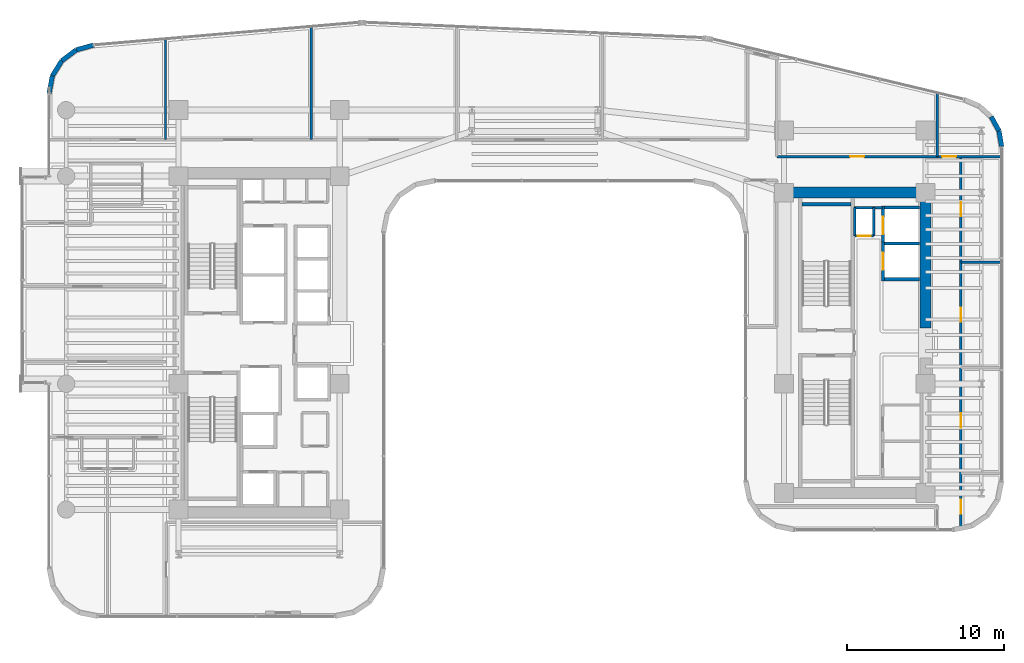
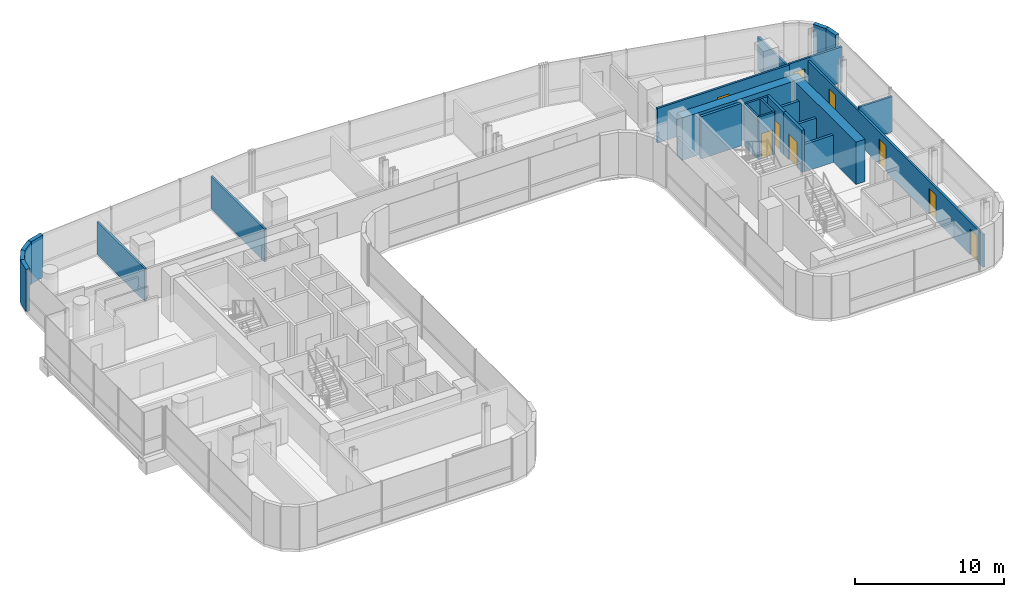
# One storey, part 29 of 35: 25 walls, 9 doors, 9 openings.
"""IFC4 building model written with IfcOpenShell, lengths in metres."""

from ifc_helpers import new_model, si_unit, direction, frame, frame_2d, origin, place, context, subcontext, project, spatial, rectangle, extrude, material, layer, layer_set, type_object, element, fill, save


model = new_model("IFC4")

# Units and contexts
model_context = context("Model", 3, precision=1e-05, world=origin(), true_north=direction((0.0, 1.0)))
body_context = subcontext(model_context, "Body", "Model", "MODEL_VIEW")
ifc_project = project(units=[si_unit("LENGTHUNIT", "METRE"), si_unit("AREAUNIT", "SQUARE_METRE"), si_unit("VOLUMEUNIT", "CUBIC_METRE"), si_unit("PLANEANGLEUNIT", "RADIAN"), si_unit("MASSUNIT", "GRAM", prefix="KILO")], contexts=[model_context])

# Site, building, storey
site_placement = place(None, origin())
site = spatial("IfcSite", under=ifc_project, at=site_placement, CompositionType="ELEMENT")
building_placement = place(site_placement, origin())
building = spatial("IfcBuilding", under=site, at=building_placement, Name="Valdorenza Pilgrim Sanctuary Tower", CompositionType="ELEMENT")
storey_placement = place(building_placement, frame((0.0, 0.0, 139.0)))
storey = spatial("IfcBuildingStorey", under=building, at=storey_placement, Name="L35", CompositionType="ELEMENT", Elevation=139.0)

# Wall, opening, door
ifc_material_1 = material(Name="Acoustic twin-stud gypsum partition", Category="gypsum")
ifc_layer_1 = layer(ifc_material_1, 0.159912109375, Name="Acoustic twin-stud gypsum partition")
ifc_layer_set_1 = layer_set([ifc_layer_1], Name="Acoustic twin-stud gypsum partition")
wall_type_1 = type_object("IfcWallType", Name="WAL-COR-160", PredefinedType="PARTITIONING", material=ifc_layer_set_1)
wall_1_placement = place(storey_placement, frame((20.35009765625, 6.800048828125, 0.0), z_axis=(0.0, 0.0, 1.0), x_axis=(1.0, 0.0, 0.0)))
wall_1 = element("IfcWall", 1, at=wall_1_placement, inside=storey, type_object=wall_type_1, Name="L35 Core B Riser South Wall", PredefinedType="PARTITIONING", context=body_context, shape_type="SweptSolid", body=[
    extrude(rectangle(XDim=1.199951171875, YDim=0.159912109375, at=frame_2d((0.60009765625, 0.0))), origin(), (0.0, 0.0, 1.0), 3.4599609375),
])
opening_1_placement = place(wall_1_placement, frame((0.175048828125, 0.0, 0.0)))
opening_1 = element("IfcOpeningElement", 2, at=opening_1_placement, cuts=wall_1, Name="Opening DR-RS1", PredefinedType="OPENING", context=body_context, shape_type="SweptSolid", body=[
    extrude(rectangle(XDim=0.85009765625, YDim=2.050048828125, at=frame_2d((0.425048828125, 1.02490234375))), frame((0.0, 0.0947265625, 0.0), z_axis=(0.0, -1.0, 0.0), x_axis=(1.0, 0.0, 0.0)), (0.0, 0.0, 1.0), 0.189697265625),
])
ifc_material_2 = material(Name="Painted galvanized steel", Category="steel")
door_type_1 = type_object("IfcDoorType", Name="DR-RSR-850", OperationType="NOTDEFINED", PredefinedType="DOOR", material=ifc_material_2)
door_1_placement = place(opening_1_placement, origin())
door_1 = element("IfcDoor", 3, at=door_1_placement, inside=storey, type_object=door_type_1, Name="L35 Core B Electrical Riser Door", OperationType="SINGLE_SWING_LEFT", OverallHeight=2.050048828125, OverallWidth=0.85009765625, PredefinedType="DOOR", context=body_context, shape_type="SweptSolid", body=[
    extrude(rectangle(XDim=0.85009765625, YDim=2.050048828125, at=frame_2d((0.425048828125, 1.02490234375))), frame((0.0, 0.02490234375, 0.0), z_axis=(0.0, -1.0, 0.0), x_axis=(1.0, 0.0, 0.0)), (0.0, 0.0, 1.0), 0.050048828125),
])
fill(opening_1, door_1)

# Walls
for number, where, z_axis, x_axis, name in (
    (4, (21.550048828125, 6.800048828125, 0.0), (0.0, 0.0, 1.0), (0.0, 1.0, 0.0), "L35 Core B Riser East Wall"),
    (5, (20.35009765625, 6.800048828125, 0.0), (0.0, 0.0, 1.0), (0.0, 1.0, 0.0), "L35 Core B Riser West Wall"),
):
    element("IfcWall", number, at=place(storey_placement, frame(where, z_axis=z_axis, x_axis=x_axis)), inside=storey, type_object=wall_type_1, Name=name, PredefinedType="PARTITIONING", context=body_context, shape_type="SweptSolid", body=[
        extrude(rectangle(XDim=1.800048828125, YDim=0.159912109375, at=frame_2d((0.89990234375, 0.0))), origin(), (0.0, 0.0, 1.0), 3.4599609375),
    ])
wall_2_placement = place(storey_placement, frame((20.300048828125, 8.60009765625, 0.0), z_axis=(0.0, 0.0, 1.0), x_axis=(1.0, 0.0, 0.0)))
element("IfcWall", 6, at=wall_2_placement, inside=storey, type_object=wall_type_1, Name="L35 Core B Lift Hall North End Wall", PredefinedType="PARTITIONING", context=body_context, shape_type="SweptSolid", body=[
    extrude(rectangle(XDim=1.820068359375, YDim=0.159912109375, at=frame_2d((0.91015625, 0.0))), origin(), (0.0, 0.0, 1.0), 3.4599609375),
])

# Wall, opening, door
wall_3_placement = place(storey_placement, frame((15.39990234375, 11.85009765625, 0.0), z_axis=(0.0, 0.0, 1.0), x_axis=(1.0, 0.0, 0.0)))
wall_3 = element("IfcWall", 7, at=wall_3_placement, inside=storey, type_object=wall_type_1, Name="L35 Wing B North Corridor Wall", PredefinedType="PARTITIONING", context=body_context, shape_type="SweptSolid", body=[
    extrude(rectangle(XDim=10.2001953125, YDim=0.159912109375, at=frame_2d((5.10009765625, 0.0))), origin(), (0.0, 0.0, 1.0), 2.833984375),
])
opening_2_placement = place(wall_3_placement, frame((4.64990234375, 0.0, 0.0)))
opening_2 = element("IfcOpeningElement", 8, at=opening_2_placement, cuts=wall_3, Name="Opening DR-RM1", PredefinedType="OPENING", context=body_context, shape_type="SweptSolid", body=[
    extrude(rectangle(XDim=0.89990234375, YDim=2.10009765625, at=frame_2d((0.449951171875, 1.050048828125))), frame((0.0, 0.0947265625, 0.0), z_axis=(0.0, -1.0, 0.0), x_axis=(1.0, 0.0, 0.0)), (0.0, 0.0, 1.0), 0.189697265625),
])
ifc_material_3 = material(Name="Solid-core European oak timber", Category="wood")
door_type_2 = type_object("IfcDoorType", Name="DR-ROOM-900", OperationType="NOTDEFINED", PredefinedType="DOOR", material=ifc_material_3)
door_2_placement = place(opening_2_placement, frame((0.89990234375, 0.0, 0.0), z_axis=(0.0, 0.0, 1.0), x_axis=(-1.0, 0.0, 0.0)))
door_2 = element("IfcDoor", 9, at=door_2_placement, inside=storey, type_object=door_type_2, Name="L35 Curator Research Office L35-BN1 Door", OperationType="SINGLE_SWING_LEFT", OverallHeight=2.10009765625, OverallWidth=0.89990234375, PredefinedType="DOOR", context=body_context, shape_type="SweptSolid", body=[
    extrude(rectangle(XDim=0.89990234375, YDim=2.10009765625, at=frame_2d((0.449951171875, 1.050048828125))), frame((0.0, 0.02490234375, 0.0), z_axis=(0.0, -1.0, 0.0), x_axis=(1.0, 0.0, 0.0)), (0.0, 0.0, 1.0), 0.050048828125),
])
fill(opening_2, door_2)

# Wall
wall_4_placement = place(storey_placement, frame((25.60009765625, 11.85009765625, 0.0), z_axis=(0.0, 0.0, 1.0), x_axis=(0.0, 1.0, 0.0)))
element("IfcWall", 10, at=wall_4_placement, inside=storey, type_object=wall_type_1, Name="L35 Wing B North East Wall", PredefinedType="PARTITIONING", context=body_context, shape_type="SweptSolid", body=[
    extrude(rectangle(XDim=4.042236328125, YDim=0.159912109375, at=frame_2d((2.02099609375, 0.0))), origin(), (0.0, 0.0, 1.0), 2.666015625),
])

# Wall, openings, doors
wall_5_placement = place(storey_placement, frame((27.10009765625, -11.660888671875, 0.0), z_axis=(0.0, 0.0, 1.0), x_axis=(0.0, 1.0, 0.0)))
wall_5 = element("IfcWall", 11, at=wall_5_placement, inside=storey, type_object=wall_type_1, Name="L35 Wing B East Corridor Wall", PredefinedType="PARTITIONING", context=body_context, shape_type="SweptSolid", body=[
    extrude(rectangle(XDim=23.510986328125, YDim=0.159912109375, at=frame_2d((11.75537109375, 0.0))), origin(), (0.0, 0.0, 1.0), 2.666015625),
])
opening_3_placement = place(wall_5_placement, frame((0.800048828125, 0.0, 0.0)))
opening_3 = element("IfcOpeningElement", 12, at=opening_3_placement, cuts=wall_5, Name="Opening DR-RM1", PredefinedType="OPENING", context=body_context, shape_type="SweptSolid", body=[
    extrude(rectangle(XDim=0.89990234375, YDim=2.10009765625, at=frame_2d((0.449951171875, 1.050048828125))), frame((0.0, 0.0947265625, 0.0), z_axis=(0.0, -1.0, 0.0), x_axis=(1.0, 0.0, 0.0)), (0.0, 0.0, 1.0), 0.189697265625),
])
opening_4_placement = place(wall_5_placement, frame((6.280029296875, 0.0, 0.0)))
opening_4 = element("IfcOpeningElement", 13, at=opening_4_placement, cuts=wall_5, Name="Opening DR-RM1", PredefinedType="OPENING", context=body_context, shape_type="SweptSolid", body=[
    extrude(rectangle(XDim=0.89990234375, YDim=2.10009765625, at=frame_2d((0.449951171875, 1.050048828125))), frame((0.0, 0.0947265625, 0.0), z_axis=(0.0, -1.0, 0.0), x_axis=(1.0, 0.0, 0.0)), (0.0, 0.0, 1.0), 0.189697265625),
])
opening_5_placement = place(wall_5_placement, frame((12.991943359375, 0.0, 0.0)))
opening_5 = element("IfcOpeningElement", 14, at=opening_5_placement, cuts=wall_5, Name="Opening DR-RM1", PredefinedType="OPENING", context=body_context, shape_type="SweptSolid", body=[
    extrude(rectangle(XDim=0.89990234375, YDim=2.10009765625, at=frame_2d((0.449951171875, 1.050048828125))), frame((0.0, 0.0947265625, 0.0), z_axis=(0.0, -1.0, 0.0), x_axis=(1.0, 0.0, 0.0)), (0.0, 0.0, 1.0), 0.189697265625),
])
opening_6_placement = place(wall_5_placement, frame((19.705078125, 0.0, 0.0)))
opening_6 = element("IfcOpeningElement", 15, at=opening_6_placement, cuts=wall_5, Name="Opening DR-RM1", PredefinedType="OPENING", context=body_context, shape_type="SweptSolid", body=[
    extrude(rectangle(XDim=0.89990234375, YDim=2.10009765625, at=frame_2d((0.449951171875, 1.050048828125))), frame((0.0, 0.0947265625, 0.0), z_axis=(0.0, -1.0, 0.0), x_axis=(1.0, 0.0, 0.0)), (0.0, 0.0, 1.0), 0.189697265625),
])
door_3_placement = place(opening_3_placement, origin())
door_3 = element("IfcDoor", 16, at=door_3_placement, inside=storey, type_object=door_type_2, Name="L35 East Sanctuary Scholar Office L35-EG1 Door", OperationType="SINGLE_SWING_RIGHT", OverallHeight=2.10009765625, OverallWidth=0.89990234375, PredefinedType="DOOR", context=body_context, shape_type="SweptSolid", body=[
    extrude(rectangle(XDim=0.89990234375, YDim=2.10009765625, at=frame_2d((0.449951171875, 1.050048828125))), frame((0.0, 0.02490234375, 0.0), z_axis=(0.0, -1.0, 0.0), x_axis=(1.0, 0.0, 0.0)), (0.0, 0.0, 1.0), 0.050048828125),
])
fill(opening_3, door_3)
door_4_placement = place(opening_4_placement, frame((0.89990234375, 0.0, 0.0), z_axis=(0.0, 0.0, 1.0), x_axis=(-1.0, 0.0, 0.0)))
door_4 = element("IfcDoor", 17, at=door_4_placement, inside=storey, type_object=door_type_2, Name="L35 East Sanctuary Scholar Office L35-EG2 Door", OperationType="SINGLE_SWING_LEFT", OverallHeight=2.10009765625, OverallWidth=0.89990234375, PredefinedType="DOOR", context=body_context, shape_type="SweptSolid", body=[
    extrude(rectangle(XDim=0.89990234375, YDim=2.10009765625, at=frame_2d((0.449951171875, 1.050048828125))), frame((0.0, 0.02490234375, 0.0), z_axis=(0.0, -1.0, 0.0), x_axis=(1.0, 0.0, 0.0)), (0.0, 0.0, 1.0), 0.050048828125),
])
fill(opening_4, door_4)
door_5_placement = place(opening_5_placement, origin())
door_5 = element("IfcDoor", 18, at=door_5_placement, inside=storey, type_object=door_type_2, Name="L35 East Sanctuary Scholar Office L35-EG3 Door", OperationType="SINGLE_SWING_RIGHT", OverallHeight=2.10009765625, OverallWidth=0.89990234375, PredefinedType="DOOR", context=body_context, shape_type="SweptSolid", body=[
    extrude(rectangle(XDim=0.89990234375, YDim=2.10009765625, at=frame_2d((0.449951171875, 1.050048828125))), frame((0.0, 0.02490234375, 0.0), z_axis=(0.0, -1.0, 0.0), x_axis=(1.0, 0.0, 0.0)), (0.0, 0.0, 1.0), 0.050048828125),
])
fill(opening_5, door_5)
door_6_placement = place(opening_6_placement, frame((0.89990234375, 0.0, 0.0), z_axis=(0.0, 0.0, 1.0), x_axis=(-1.0, 0.0, 0.0)))
door_6 = element("IfcDoor", 19, at=door_6_placement, inside=storey, type_object=door_type_2, Name="L35 East Sanctuary Scholar Office L35-EG4 Door", OperationType="SINGLE_SWING_LEFT", OverallHeight=2.10009765625, OverallWidth=0.89990234375, PredefinedType="DOOR", context=body_context, shape_type="SweptSolid", body=[
    extrude(rectangle(XDim=0.89990234375, YDim=2.10009765625, at=frame_2d((0.449951171875, 1.050048828125))), frame((0.0, 0.02490234375, 0.0), z_axis=(0.0, -1.0, 0.0), x_axis=(1.0, 0.0, 0.0)), (0.0, 0.0, 1.0), 0.050048828125),
])
fill(opening_6, door_6)

# Wall, opening, door
wall_6_placement = place(storey_placement, frame((25.60009765625, 11.85009765625, 0.0), z_axis=(0.0, 0.0, 1.0), x_axis=(1.0, 0.0, 0.0)))
wall_6 = element("IfcWall", 20, at=wall_6_placement, inside=storey, type_object=wall_type_1, Name="L35 East Wing NE Corner South Wall", PredefinedType="PARTITIONING", context=body_context, shape_type="SweptSolid", body=[
    extrude(rectangle(XDim=4.08984375, YDim=0.159912109375, at=frame_2d((2.044921875, 0.0))), origin(), (0.0, 0.0, 1.0), 2.89599609375),
])
opening_7_placement = place(wall_6_placement, frame((0.300048828125, 0.0, 0.0)))
opening_7 = element("IfcOpeningElement", 21, at=opening_7_placement, cuts=wall_6, Name="Opening DR-RM1", PredefinedType="OPENING", context=body_context, shape_type="SweptSolid", body=[
    extrude(rectangle(XDim=0.89990234375, YDim=2.10009765625, at=frame_2d((0.449951171875, 1.050048828125))), frame((0.0, 0.0947265625, 0.0), z_axis=(0.0, -1.0, 0.0), x_axis=(1.0, 0.0, 0.0)), (0.0, 0.0, 1.0), 0.189697265625),
])
door_7_placement = place(opening_7_placement, origin())
door_7 = element("IfcDoor", 22, at=door_7_placement, inside=storey, type_object=door_type_2, Name="L35 East North Alcove Office L35 Door", OperationType="SINGLE_SWING_LEFT", OverallHeight=2.10009765625, OverallWidth=0.89990234375, PredefinedType="DOOR", context=body_context, shape_type="SweptSolid", body=[
    extrude(rectangle(XDim=0.89990234375, YDim=2.10009765625, at=frame_2d((0.449951171875, 1.050048828125))), frame((0.0, 0.02490234375, 0.0), z_axis=(0.0, -1.0, 0.0), x_axis=(1.0, 0.0, 0.0)), (0.0, 0.0, 1.0), 0.050048828125),
])
fill(opening_7, door_7)

# Walls
ifc_material_4 = material(Name="Concrete C60/75", Category="concrete")
ifc_layer_2 = layer(ifc_material_4, 0.699951171875, Name="Concrete C60/75")
ifc_layer_set_2 = layer_set([ifc_layer_2], Name="Concrete C60/75")
wall_type_2 = type_object("IfcWallType", Name="WAL-COR-700", PredefinedType="SHEAR", material=ifc_layer_set_2)
wall_7_placement = place(storey_placement, frame((24.85009765625, 0.949951171875, 0.0), z_axis=(0.0, 0.0, 1.0), x_axis=(0.0, 1.0, 0.0)))
element("IfcWall", 23, at=wall_7_placement, inside=storey, type_object=wall_type_2, Name="L35 Split Core B Shear Wall EN", PredefinedType="SHEAR", context=body_context, shape_type="SweptSolid", body=[
    extrude(rectangle(XDim=8.949951171875, YDim=0.699951171875, at=frame_2d((4.47509765625, 0.0))), origin(), (0.0, 0.0, 1.0), 3.4599609375),
])
wall_8_placement = place(storey_placement, frame((15.85009765625, 9.550048828125, 0.0), z_axis=(0.0, 0.0, 1.0), x_axis=(1.0, 0.0, 0.0)))
element("IfcWall", 24, at=wall_8_placement, inside=storey, type_object=wall_type_2, Name="L35 Split Core B Shear Wall N", PredefinedType="SHEAR", context=body_context, shape_type="SweptSolid", body=[
    extrude(rectangle(XDim=9.0, YDim=0.699951171875, at=frame_2d((4.5, 0.0))), origin(), (0.0, 0.0, 1.0), 3.4599609375),
])
ifc_material_5 = material(Name="Honed travertine limestone", Category="masonry")
ifc_layer_3 = layer(ifc_material_5, 0.300048828125, Name="Honed travertine limestone")
ifc_layer_set_3 = layer_set([ifc_layer_3], Name="Honed travertine limestone")
wall_type_3 = type_object("IfcWallType", Name="WAL-EXT-300", PredefinedType="SOLIDWALL", material=ifc_layer_set_3)
wall_9_placement = place(storey_placement, frame((-30.889892578125, 15.850341796875, 0.0), z_axis=(0.0, 0.0, 1.0), x_axis=(0.184557499391, 0.982821718023, 0.0)))
element("IfcWall", 25, at=wall_9_placement, inside=storey, type_object=wall_type_3, Name="L35 Rounded Wind-Corner Stone Pier 2", PredefinedType="SOLIDWALL", context=body_context, shape_type="SweptSolid", body=[
    extrude(rectangle(XDim=1.15087890625, YDim=0.300048828125, at=frame_2d((0.575439453125, 0.0))), origin(), (0.0, 0.0, 1.0), 3.4599609375),
])
wall_10_placement = place(storey_placement, frame((-30.677490234375, 16.9814453125, 0.0), z_axis=(0.0, 0.0, 1.0), x_axis=(0.52880576008, 0.848742875143, 0.0)))
element("IfcWall", 26, at=wall_10_placement, inside=storey, type_object=wall_type_3, Name="L35 Rounded Wind-Corner Stone Pier 3", PredefinedType="SOLIDWALL", context=body_context, shape_type="SweptSolid", body=[
    extrude(rectangle(XDim=1.140869140625, YDim=0.300048828125, at=frame_2d((0.5703125, 0.0))), origin(), (0.0, 0.0, 1.0), 3.4599609375),
])
wall_11_placement = place(storey_placement, frame((-30.07421875, 17.94970703125, 0.0), z_axis=(0.0, 0.0, 1.0), x_axis=(0.800975009324, 0.598697782223, 0.0)))
element("IfcWall", 27, at=wall_11_placement, inside=storey, type_object=wall_type_3, Name="L35 Rounded Wind-Corner Stone Pier 4", PredefinedType="SOLIDWALL", context=body_context, shape_type="SweptSolid", body=[
    extrude(rectangle(XDim=1.140625, YDim=0.300048828125, at=frame_2d((0.5703125, 0.0))), origin(), (0.0, 0.0, 1.0), 3.4599609375),
])
wall_12_placement = place(storey_placement, frame((-29.16064453125, 18.632568359375, 0.0), z_axis=(0.0, 0.0, 1.0), x_axis=(0.963624193367, 0.267260947313, 0.0)))
element("IfcWall", 28, at=wall_12_placement, inside=storey, type_object=wall_type_3, Name="L35 Rounded Wind-Corner Stone Pier 5", PredefinedType="SOLIDWALL", context=body_context, shape_type="SweptSolid", body=[
    extrude(rectangle(XDim=1.15087890625, YDim=0.300048828125, at=frame_2d((0.575439453125, 0.0))), origin(), (0.0, 0.0, 1.0), 3.4599609375),
])
wall_13_placement = place(storey_placement, frame((29.024658203125, 14.388427734375, 0.0), z_axis=(0.0, 0.0, 1.0), x_axis=(0.480284137298, -0.87711296163, 0.0)))
element("IfcWall", 29, at=wall_13_placement, inside=storey, type_object=wall_type_3, Name="L35 Rounded Wind-Corner Stone Pier 19", PredefinedType="SOLIDWALL", context=body_context, shape_type="SweptSolid", body=[
    extrude(rectangle(XDim=1.02685546875, YDim=0.300048828125, at=frame_2d((0.513427734375, 0.0))), origin(), (0.0, 0.0, 1.0), 3.4599609375),
])
wall_14_placement = place(storey_placement, frame((29.517822265625, 13.48779296875, 0.0), z_axis=(0.0, 0.0, 1.0), x_axis=(0.166156796952, -0.986099345313, 0.0)))
element("IfcWall", 30, at=wall_14_placement, inside=storey, type_object=wall_type_3, Name="L35 Rounded Wind-Corner Stone Pier 20", PredefinedType="SOLIDWALL", context=body_context, shape_type="SweptSolid", body=[
    extrude(rectangle(XDim=1.035888671875, YDim=0.300048828125, at=frame_2d((0.51806640625, 0.0))), origin(), (0.0, 0.0, 1.0), 3.4599609375),
])

# Wall, opening, door
ifc_material_6 = material(Name="Autoclaved aerated concrete blockwork", Category="masonry")
ifc_layer_4 = layer(ifc_material_6, 0.199951171875, Name="Autoclaved aerated concrete blockwork")
ifc_layer_set_4 = layer_set([ifc_layer_4], Name="Autoclaved aerated concrete blockwork")
wall_type_4 = type_object("IfcWallType", Name="WAL-SHF-200", PredefinedType="MOVABLE", material=ifc_layer_set_4)
wall_15_placement = place(storey_placement, frame((22.14990234375, 3.949951171875, 0.0), z_axis=(0.0, 0.0, 1.0), x_axis=(0.0, 1.0, 0.0)))
wall_15 = element("IfcWall", 31, at=wall_15_placement, inside=storey, type_object=wall_type_4, Name="L35 Lift PL-07 Hoistway Wall West", PredefinedType="MOVABLE", context=body_context, shape_type="SweptSolid", body=[
    extrude(rectangle(XDim=2.47509765625, YDim=0.199951171875, at=frame_2d((1.237548828125, 0.0))), origin(), (0.0, 0.0, 1.0), 3.4599609375),
])
opening_8_placement = place(wall_15_placement, frame((0.6875, 0.0, 0.0)))
opening_8 = element("IfcOpeningElement", 32, at=opening_8_placement, cuts=wall_15, Name="Opening LD-01", PredefinedType="OPENING", context=body_context, shape_type="SweptSolid", body=[
    extrude(rectangle(XDim=1.10009765625, YDim=2.10009765625, at=frame_2d((0.550048828125, 1.050048828125))), frame((0.0, 0.11474609375, 0.0), z_axis=(0.0, -1.0, 0.0), x_axis=(1.0, 0.0, 0.0)), (0.0, 0.0, 1.0), 0.229736328125),
])
ifc_material_7 = material(Name="Brushed stainless steel Grade 316", Category="steel")
door_type_3 = type_object("IfcDoorType", Name="DR-LFT-1100", OperationType="DOUBLE_DOOR_SLIDING", PredefinedType="DOOR", material=ifc_material_7)
door_8_placement = place(opening_8_placement, origin())
door_8 = element("IfcDoor", 33, at=door_8_placement, inside=storey, type_object=door_type_3, Name="L35 Lift PL-07 Sliding Landing Door", OperationType="DOUBLE_DOOR_SLIDING", OverallHeight=2.10009765625, OverallWidth=1.10009765625, PredefinedType="DOOR", context=body_context, shape_type="SweptSolid", body=[
    extrude(rectangle(XDim=1.10009765625, YDim=2.10009765625, at=frame_2d((0.550048828125, 1.050048828125))), frame((0.0, 0.02490234375, 0.0), z_axis=(0.0, -1.0, 0.0), x_axis=(1.0, 0.0, 0.0)), (0.0, 0.0, 1.0), 0.050048828125),
])
fill(opening_8, door_8)

# Walls
for number, where, z_axis, x_axis, name in (
    (34, (22.25, 4.050048828125, 0.0), (0.0, 0.0, 1.0), (1.0, 0.0, 0.0), "L35 Lift PL-07 Hoistway Wall South"),
    (35, (22.25, 6.324951171875, 0.0), (0.0, 0.0, 1.0), (1.0, 0.0, 0.0), "L35 Lift PL-07 Hoistway Wall North"),
):
    element("IfcWall", number, at=place(storey_placement, frame(where, z_axis=z_axis, x_axis=x_axis)), inside=storey, type_object=wall_type_4, Name=name, PredefinedType="MOVABLE", context=body_context, shape_type="SweptSolid", body=[
        extrude(rectangle(XDim=2.22998046875, YDim=0.199951171875, at=frame_2d((1.114990234375, 0.0))), origin(), (0.0, 0.0, 1.0), 2.2451171875),
    ])

# Wall, opening, door
wall_16_placement = place(storey_placement, frame((22.14990234375, 6.22509765625, 0.0), z_axis=(0.0, 0.0, 1.0), x_axis=(0.0, 1.0, 0.0)))
wall_16 = element("IfcWall", 36, at=wall_16_placement, inside=storey, type_object=wall_type_4, Name="L35 Lift PL-08 Hoistway Wall West", PredefinedType="MOVABLE", context=body_context, shape_type="SweptSolid", body=[
    extrude(rectangle(XDim=2.474853515625, YDim=0.199951171875, at=frame_2d((1.2373046875, 0.0))), origin(), (0.0, 0.0, 1.0), 3.4599609375),
])
opening_9_placement = place(wall_16_placement, frame((0.6875, 0.0, 0.0)))
opening_9 = element("IfcOpeningElement", 37, at=opening_9_placement, cuts=wall_16, Name="Opening LD-01", PredefinedType="OPENING", context=body_context, shape_type="SweptSolid", body=[
    extrude(rectangle(XDim=1.10009765625, YDim=2.10009765625, at=frame_2d((0.550048828125, 1.050048828125))), frame((0.0, 0.11474609375, 0.0), z_axis=(0.0, -1.0, 0.0), x_axis=(1.0, 0.0, 0.0)), (0.0, 0.0, 1.0), 0.229736328125),
])
door_9_placement = place(opening_9_placement, origin())
door_9 = element("IfcDoor", 38, at=door_9_placement, inside=storey, type_object=door_type_3, Name="L35 Lift PL-08 Sliding Landing Door", OperationType="DOUBLE_DOOR_SLIDING", OverallHeight=2.10009765625, OverallWidth=1.10009765625, PredefinedType="DOOR", context=body_context, shape_type="SweptSolid", body=[
    extrude(rectangle(XDim=1.10009765625, YDim=2.10009765625, at=frame_2d((0.550048828125, 1.050048828125))), frame((0.0, 0.02490234375, 0.0), z_axis=(0.0, -1.0, 0.0), x_axis=(1.0, 0.0, 0.0)), (0.0, 0.0, 1.0), 0.050048828125),
])
fill(opening_9, door_9)

# Walls
wall_17_placement = place(storey_placement, frame((22.25, 8.60009765625, 0.0), z_axis=(0.0, 0.0, 1.0), x_axis=(1.0, 0.0, 0.0)))
element("IfcWall", 39, at=wall_17_placement, inside=storey, type_object=wall_type_4, Name="L35 Lift PL-08 Hoistway Wall North", PredefinedType="MOVABLE", context=body_context, shape_type="SweptSolid", body=[
    extrude(rectangle(XDim=2.22998046875, YDim=0.199951171875, at=frame_2d((1.114990234375, 0.0))), origin(), (0.0, 0.0, 1.0), 2.2451171875),
])
ifc_material_8 = material(Name="Concrete C40/50", Category="concrete")
ifc_layer_5 = layer(ifc_material_8, 0.219970703125, Name="Concrete C40/50")
ifc_layer_set_5 = layer_set([ifc_layer_5], Name="Concrete C40/50")
wall_type_5 = type_object("IfcWallType", Name="WAL-STR-SHF-220", PredefinedType="SHEAR", material=ifc_layer_set_5)
wall_18_placement = place(storey_placement, frame((17.0, 8.81005859375, 0.0), z_axis=(0.0, 0.0, 1.0), x_axis=(1.0, 0.0, 0.0)))
element("IfcWall", 40, at=wall_18_placement, inside=storey, type_object=wall_type_5, Name="L35 ST-B1 Structural Stairwell Wall N", PredefinedType="SHEAR", context=body_context, shape_type="SweptSolid", body=[
    extrude(rectangle(XDim=3.110107421875, YDim=0.219970703125, at=frame_2d((1.55517578125, 0.0))), origin(), (0.0, 0.0, 1.0), 3.4599609375),
])
ifc_layer_6 = layer(ifc_material_1, 0.14990234375, Name="Acoustic twin-stud gypsum partition")
ifc_layer_set_6 = layer_set([ifc_layer_6], Name="Acoustic twin-stud gypsum partition")
wall_type_6 = type_object("IfcWallType", Name="WAL-UNT-150", PredefinedType="PARTITIONING", material=ifc_layer_set_6)
wall_19_placement = place(storey_placement, frame((-23.48193359375, 12.919921875, 0.0), z_axis=(0.0, 0.0, 1.0), x_axis=(0.0, 1.0, 0.0)))
element("IfcWall", 41, at=wall_19_placement, inside=storey, type_object=wall_type_6, Name="L35 Theological Seminar Classroom L35-N2 Demising Wall", PredefinedType="PARTITIONING", context=body_context, shape_type="SweptSolid", body=[
    extrude(rectangle(XDim=6.40869140625, YDim=0.14990234375, at=frame_2d((3.204345703125, 0.0))), origin(), (0.0, 0.0, 1.0), 2.666015625),
])
wall_20_placement = place(storey_placement, frame((-14.22412109375, 12.919921875, 0.0), z_axis=(0.0, 0.0, 1.0), x_axis=(0.0, 1.0, 0.0)))
element("IfcWall", 42, at=wall_20_placement, inside=storey, type_object=wall_type_6, Name="L35 Theological Seminar Classroom L35-N3 Demising Wall", PredefinedType="PARTITIONING", context=body_context, shape_type="SweptSolid", body=[
    extrude(rectangle(XDim=7.195556640625, YDim=0.14990234375, at=frame_2d((3.59765625, 0.0))), origin(), (0.0, 0.0, 1.0), 2.666015625),
])
wall_21_placement = place(storey_placement, frame((27.10009765625, 5.137939453125, 0.0), z_axis=(0.0, 0.0, 1.0), x_axis=(1.0, 0.0, 0.0)))
element("IfcWall", 43, at=wall_21_placement, inside=storey, type_object=wall_type_6, Name="L35 East Wing Guest Demising 3", PredefinedType="PARTITIONING", context=body_context, shape_type="SweptSolid", body=[
    extrude(rectangle(XDim=2.58984375, YDim=0.14990234375, at=frame_2d((1.294921875, 0.0))), origin(), (0.0, 0.0, 1.0), 2.89599609375),
])

save(model, "model.ifc")
